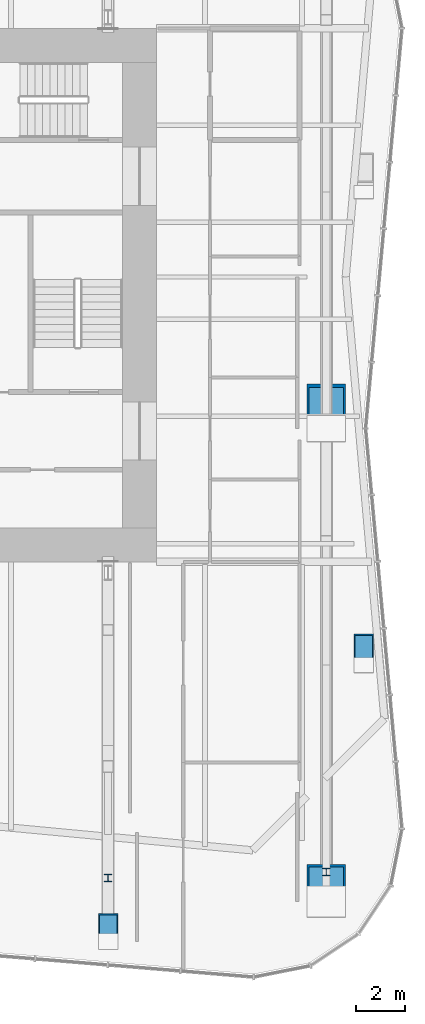
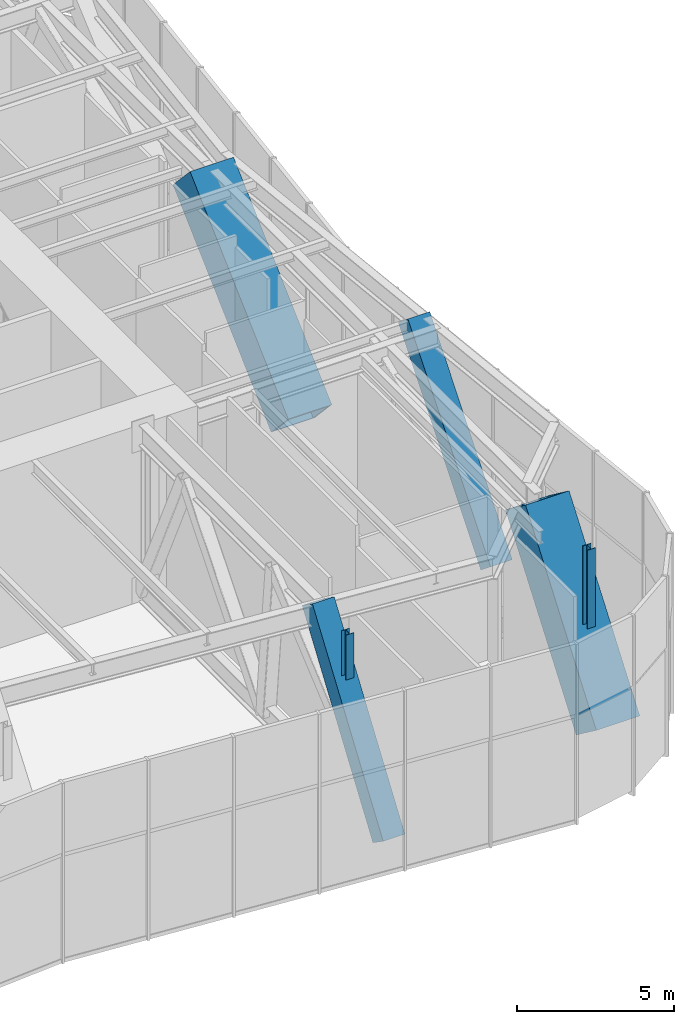
# One storey, part 2 of 17: 6 columns.
"""IFC4 building model written with IfcOpenShell, lengths in metres."""

from ifc_helpers import new_model, si_unit, direction, frame, origin, origin_2d, place, context, subcontext, project, spatial, hollow_rectangle, i_section, extrude, material, material_profile, profile_set, type_object, element, save


model = new_model("IFC4")

# Units and contexts
model_context = context("Model", 3, precision=1e-05, world=origin(), true_north=direction((0.0, 1.0)))
body_context = subcontext(model_context, "Body", "Model", "MODEL_VIEW")
ifc_project = project(units=[si_unit("LENGTHUNIT", "METRE"), si_unit("AREAUNIT", "SQUARE_METRE"), si_unit("VOLUMEUNIT", "CUBIC_METRE"), si_unit("PLANEANGLEUNIT", "RADIAN"), si_unit("MASSUNIT", "GRAM", prefix="KILO")], contexts=[model_context])

# Site, building, storey
site_placement = place(None, origin())
site = spatial("IfcSite", under=ifc_project, at=site_placement, CompositionType="ELEMENT")
building_placement = place(site_placement, origin())
building = spatial("IfcBuilding", under=site, at=building_placement, Name="Verdant Reach Tower", CompositionType="ELEMENT")
storey_placement = place(building_placement, frame((0.0, 0.0, 58.0)))
storey = spatial("IfcBuildingStorey", under=building, at=storey_placement, Name="L13 Plant", CompositionType="ELEMENT", Elevation=58.0)

# Columns
ifc_material = material(Name="Steel S460", Category="steel")
ifc_material_profile_1 = material_profile(ifc_material, hollow_rectangle(XDim=1.60009765625, YDim=1.60009765625, WallThickness=0.090087890625, at=origin_2d()), Name="WB 1600x1600x90")
ifc_profile_set_1 = profile_set([ifc_material_profile_1], Name="Steel S460")
column_type_1 = type_object("IfcColumnType", Name="ST-COL-WB1600x1600x90", PredefinedType="COLUMN", material=ifc_profile_set_1)
column_1_placement = place(storey_placement, frame((21.0, 22.5, 0.587890625), z_axis=(0.0, 0.731587227798, 0.681747847905), x_axis=(-1.0, 0.0, 0.0)))
element("IfcColumn", 1, at=column_1_placement, inside=storey, type_object=column_type_1, Name="Mega column east, L13 Plant", PredefinedType="COLUMN", context=body_context, shape_type="SweptSolid", body=[
    extrude(hollow_rectangle(XDim=1.60009765625, YDim=1.60009765625, WallThickness=0.090087890625, at=origin_2d()), origin(), (0.0, 0.0, 1.0), 8.54296875),
])
column_2_placement = place(storey_placement, frame((21.0, 3.0, 0.489990234375), z_axis=(0.0, 0.598720715582, 0.800957867015), x_axis=(-1.0, 0.0, 0.0)))
element("IfcColumn", 2, at=column_2_placement, inside=storey, type_object=column_type_1, Name="Mega column south-east, L13 Plant", PredefinedType="COLUMN", context=body_context, shape_type="SweptSolid", body=[
    extrude(hollow_rectangle(XDim=1.60009765625, YDim=1.60009765625, WallThickness=0.090087890625, at=origin_2d()), origin(), (0.0, 0.0, 1.0), 7.51611328125),
])
ifc_material_profile_2 = material_profile(ifc_material, hollow_rectangle(XDim=0.800048828125, YDim=0.800048828125, WallThickness=0.0400390625, at=origin_2d()), Name="WB 800x800x40")
ifc_profile_set_2 = profile_set([ifc_material_profile_2], Name="Steel S460")
column_type_2 = type_object("IfcColumnType", Name="ST-COL-WB800x800x40", PredefinedType="COLUMN", material=ifc_profile_set_2)
column_3_placement = place(storey_placement, frame((12.0, 1.35009765625, 0.2548828125), z_axis=(0.0, 0.569788529315, 0.821791355431), x_axis=(-1.0, 0.0, 0.0)))
element("IfcColumn", 3, at=column_3_placement, inside=storey, type_object=column_type_2, Name="Perimeter column south 2, L13 Plant", PredefinedType="COLUMN", context=body_context, shape_type="SweptSolid", body=[
    extrude(hollow_rectangle(XDim=0.800048828125, YDim=0.800048828125, WallThickness=0.0400390625, at=origin_2d()), origin(), (0.0, 0.0, 1.0), 7.897705078125),
])
column_4_placement = place(storey_placement, frame((22.536376953125, 12.75, 0.278564453125), z_axis=(-0.000323130743, 0.631691226248, 0.775220027004), x_axis=(-0.999999869167, -0.000511532671, 0.0)))
element("IfcColumn", 4, at=column_4_placement, inside=storey, type_object=column_type_2, Name="Perimeter column east 1, L13 Plant", PredefinedType="COLUMN", context=body_context, shape_type="SweptSolid", body=[
    extrude(hollow_rectangle(XDim=0.800048828125, YDim=0.800048828125, WallThickness=0.0400390625, at=origin_2d()), origin(), (0.0, 0.0, 1.0), 8.31103515625),
])
ifc_material_profile_3 = material_profile(ifc_material, i_section(OverallWidth=0.300048828125, OverallDepth=0.300048828125, WebThickness=0.010986328125, FlangeThickness=0.01904296875, FilletRadius=0.027099609375, at=origin_2d()), Name="HEB 300")
ifc_profile_set_3 = profile_set([ifc_material_profile_3], Name="Steel S460")
column_type_3 = type_object("IfcColumnType", Name="ST-DECK-POST-HEB300", PredefinedType="COLUMN", material=ifc_profile_set_3)
column_5_placement = place(storey_placement, frame((21.0, 4.209228515625, 3.64453125), z_axis=(0.0, 0.0, 1.0), x_axis=(1.0, 0.0, 0.0)))
element("IfcColumn", 5, at=column_5_placement, inside=storey, type_object=column_type_3, Name="Terrace deck post, column M-SE, L13 Plant", PredefinedType="COLUMN", context=body_context, shape_type="SweptSolid", body=[
    extrude(i_section(OverallWidth=0.300048828125, OverallDepth=0.300048828125, WebThickness=0.010986328125, FlangeThickness=0.01904296875, FilletRadius=0.027099609375, at=origin_2d()), origin(), (0.0, 0.0, 1.0), 3.055419921875),
])
column_6_placement = place(storey_placement, frame((12.0, 3.97119140625, 4.953857421875), z_axis=(0.0, 0.0, 1.0), x_axis=(1.0, 0.0, 0.0)))
element("IfcColumn", 6, at=column_6_placement, inside=storey, type_object=column_type_3, Name="Terrace deck post, column P-S2, L13 Plant", PredefinedType="COLUMN", context=body_context, shape_type="SweptSolid", body=[
    extrude(i_section(OverallWidth=0.300048828125, OverallDepth=0.300048828125, WebThickness=0.010986328125, FlangeThickness=0.01904296875, FilletRadius=0.027099609375, at=origin_2d()), origin(), (0.0, 0.0, 1.0), 1.74609375),
])

save(model, "model.ifc")
